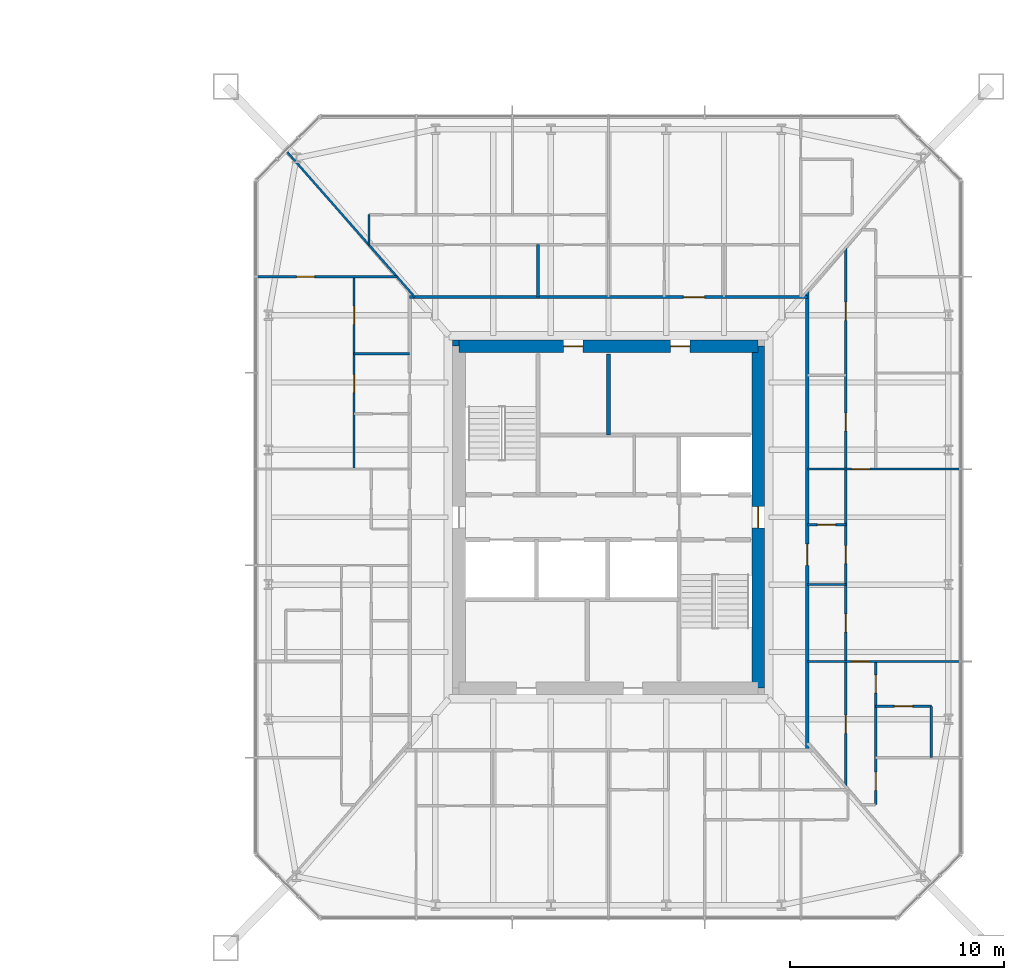
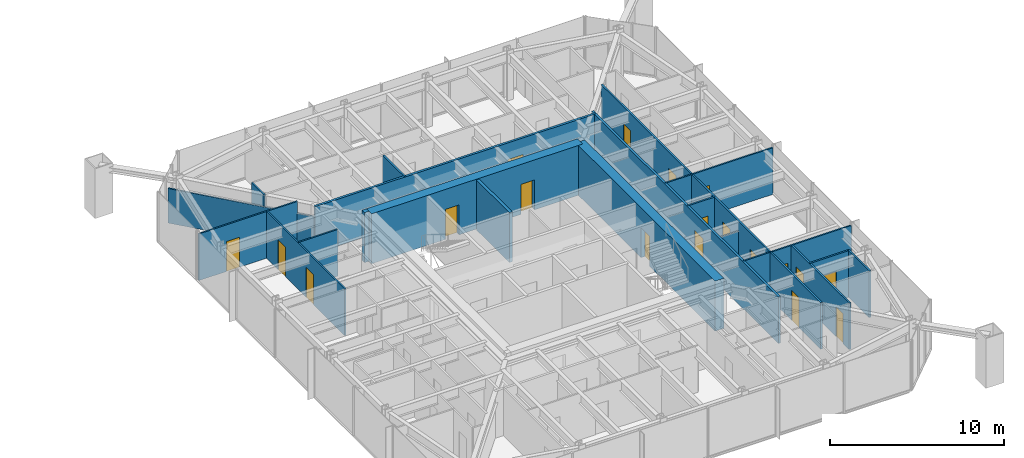
# One storey, part 20 of 26: 20 walls, 19 doors, 19 openings.
"""IFC4 building model written with IfcOpenShell, lengths in metres."""

from ifc_helpers import new_model, si_unit, direction, frame, frame_2d, origin, place, context, subcontext, project, spatial, rectangle, extrude, material, layer, layer_set, type_object, element, fill, save


model = new_model("IFC4")

# Units and contexts
model_context = context("Model", 3, precision=1e-05, world=origin(), true_north=direction((0.0, 1.0)))
body_context = subcontext(model_context, "Body", "Model", "MODEL_VIEW")
ifc_project = project(units=[si_unit("LENGTHUNIT", "METRE"), si_unit("AREAUNIT", "SQUARE_METRE"), si_unit("VOLUMEUNIT", "CUBIC_METRE"), si_unit("PLANEANGLEUNIT", "RADIAN"), si_unit("MASSUNIT", "GRAM", prefix="KILO")], contexts=[model_context])

# Site, building, storey
site_placement = place(None, origin())
site = spatial("IfcSite", under=ifc_project, at=site_placement, CompositionType="ELEMENT")
building_placement = place(site_placement, origin())
building = spatial("IfcBuilding", under=site, at=building_placement, Name="Iwan Alto Co-Living Towers", CompositionType="ELEMENT")
storey_placement = place(building_placement, frame((0.0, 0.0, 60.5)))
storey = spatial("IfcBuildingStorey", under=building, at=storey_placement, Name="L16", CompositionType="ELEMENT", Elevation=60.5)

# Wall, opening, door
ifc_material_1 = material(Name="Gypsum board")
ifc_layer_1 = layer(ifc_material_1, 0.02490234375, Name="Board", Category="Finish")
ifc_material_2 = material(Name="Steel ASTM A1003 ST33H cold-formed studs", Category="steel")
ifc_layer_2 = layer(ifc_material_2, 0.10009765625, Name="Studs", Category="Framing")
ifc_layer_3 = layer(ifc_material_1, 0.02490234375, Name="Board", Category="Finish")
ifc_layer_set_1 = layer_set([ifc_layer_1, ifc_layer_2, ifc_layer_3], Name="CORRIDOR WALL 150")
wall_type_1 = type_object("IfcWallType", Name="CORRIDOR WALL 150", PredefinedType="PARTITIONING", material=ifc_layer_set_1)
wall_1_placement = place(storey_placement, frame((53.699951171875, 10.300048828125, 0.0), z_axis=(0.0, 0.0, 1.0), x_axis=(1.0, 0.0, 0.0)))
wall_1 = element("IfcWall", 1, at=wall_1_placement, inside=storey, type_object=wall_type_1, Name="Partition L16", PredefinedType="PARTITIONING", context=body_context, shape_type="SweptSolid", body=[
    extrude(rectangle(XDim=18.60009765625, YDim=0.14990234375, at=frame_2d((9.300048828125, 0.0))), origin(), (0.0, 0.0, 1.0), 3.27001953125),
])
opening_1_placement = place(wall_1_placement, frame((12.800048828125, 0.0, 0.0)))
opening_1 = element("IfcOpeningElement", 2, at=opening_1_placement, cuts=wall_1, Name="Opening D3", PredefinedType="OPENING", context=body_context, shape_type="SweptSolid", body=[
    extrude(rectangle(XDim=1.0, YDim=2.10009765625, at=frame_2d((0.5, 1.050048828125))), frame((0.0, 0.0849609375, 0.0), z_axis=(0.0, -1.0, 0.0), x_axis=(1.0, 0.0, 0.0)), (0.0, 0.0, 1.0), 0.169921875),
])
ifc_material_3 = material(Name="Steel frame with timber leaf", Category="steel")
door_type_1 = type_object("IfcDoorType", Name="FLAT ENTRANCE DOOR FD30S 1000X2100", OperationType="SINGLE_SWING_LEFT", PredefinedType="DOOR", material=ifc_material_3)
door_1_placement = place(opening_1_placement, origin())
door_1 = element("IfcDoor", 3, at=door_1_placement, inside=storey, type_object=door_type_1, Name="Apartment foyer door L16", OperationType="SINGLE_SWING_LEFT", OverallHeight=2.10009765625, OverallWidth=1.0, PredefinedType="DOOR", context=body_context, shape_type="SweptSolid", body=[
    extrude(rectangle(XDim=1.0, YDim=2.10009765625, at=frame_2d((0.5, 1.050048828125))), frame((0.0, 0.02490234375, 0.0), z_axis=(0.0, -1.0, 0.0), x_axis=(1.0, 0.0, 0.0)), (0.0, 0.0, 1.0), 0.050048828125),
])
fill(opening_1, door_1)

wall_2_placement = place(storey_placement, frame((72.300048828125, -10.89990234375, 0.0), z_axis=(0.0, 0.0, 1.0), x_axis=(0.0, 1.0, 0.0)))
wall_2 = element("IfcWall", 4, at=wall_2_placement, inside=storey, type_object=wall_type_1, Name="Partition L16", PredefinedType="PARTITIONING", context=body_context, shape_type="SweptSolid", body=[
    extrude(rectangle(XDim=21.468017578125, YDim=0.14990234375, at=frame_2d((10.73388671875, 0.0))), origin(), (0.0, 0.0, 1.0), 3.27001953125),
])
opening_2_placement = place(wall_2_placement, frame((8.64990234375, 0.0, 0.0)))
opening_2 = element("IfcOpeningElement", 5, at=opening_2_placement, cuts=wall_2, Name="Opening D3", PredefinedType="OPENING", context=body_context, shape_type="SweptSolid", body=[
    extrude(rectangle(XDim=1.0, YDim=2.10009765625, at=frame_2d((0.5, 1.050048828125))), frame((0.0, 0.0849609375, 0.0), z_axis=(0.0, -1.0, 0.0), x_axis=(1.0, 0.0, 0.0)), (0.0, 0.0, 1.0), 0.169921875),
])
door_2_placement = place(opening_2_placement, frame((1.0, 0.0, 0.0), z_axis=(0.0, 0.0, 1.0), x_axis=(-1.0, 0.0, 0.0)))
door_2 = element("IfcDoor", 6, at=door_2_placement, inside=storey, type_object=door_type_1, Name="Apartment foyer door L16", OperationType="SINGLE_SWING_RIGHT", OverallHeight=2.10009765625, OverallWidth=1.0, PredefinedType="DOOR", context=body_context, shape_type="SweptSolid", body=[
    extrude(rectangle(XDim=1.0, YDim=2.10009765625, at=frame_2d((0.5, 1.050048828125))), frame((0.0, 0.02490234375, 0.0), z_axis=(0.0, -1.0, 0.0), x_axis=(1.0, 0.0, 0.0)), (0.0, 0.0, 1.0), 0.050048828125),
])
fill(opening_2, door_2)

ifc_layer_4 = layer(ifc_material_1, 0.012451171875, Name="Board", Category="Finish")
ifc_layer_5 = layer(ifc_material_2, 0.074951171875, Name="Studs", Category="Framing")
ifc_layer_6 = layer(ifc_material_1, 0.012451171875, Name="Board", Category="Finish")
ifc_layer_set_2 = layer_set([ifc_layer_4, ifc_layer_5, ifc_layer_6], Name="PARTITION 100")
wall_type_2 = type_object("IfcWallType", Name="PARTITION 100", PredefinedType="PARTITIONING", material=ifc_layer_set_2)
wall_3_placement = place(storey_placement, frame((72.300048828125, -6.75, 0.0), z_axis=(0.0, 0.0, 1.0), x_axis=(1.0, 0.0, 0.0)))
wall_3 = element("IfcWall", 7, at=wall_3_placement, inside=storey, type_object=wall_type_2, Name="Partition L16", PredefinedType="PARTITIONING", context=body_context, shape_type="SweptSolid", body=[
    extrude(rectangle(XDim=7.139892578125, YDim=0.10009765625, at=frame_2d((3.56982421875, 0.0))), origin(), (0.0, 0.0, 1.0), 3.27001953125),
])
opening_3_placement = place(wall_3_placement, frame((2.074951171875, 0.0, 0.0)))
opening_3 = element("IfcOpeningElement", 8, at=opening_3_placement, cuts=wall_3, Name="Opening D2", PredefinedType="OPENING", context=body_context, shape_type="SweptSolid", body=[
    extrude(rectangle(XDim=0.85009765625, YDim=2.10009765625, at=frame_2d((0.425048828125, 1.050048828125))), frame((0.0, 0.06005859375, 0.0), z_axis=(0.0, -1.0, 0.0), x_axis=(1.0, 0.0, 0.0)), (0.0, 0.0, 1.0), 0.1201171875),
])
ifc_material_4 = material(Name="Timber leaf in steel frame", Category="steel")
door_type_2 = type_object("IfcDoorType", Name="ROOM DOOR 850X2100", OperationType="SINGLE_SWING_LEFT", PredefinedType="DOOR", material=ifc_material_4)
door_3_placement = place(opening_3_placement, origin())
door_3 = element("IfcDoor", 9, at=door_3_placement, inside=storey, type_object=door_type_2, Name="Apartment hall door L16", OperationType="SINGLE_SWING_LEFT", OverallHeight=2.10009765625, OverallWidth=0.85009765625, PredefinedType="DOOR", context=body_context, shape_type="SweptSolid", body=[
    extrude(rectangle(XDim=0.85009765625, YDim=2.10009765625, at=frame_2d((0.425048828125, 1.050048828125))), frame((0.0, 0.02490234375, 0.0), z_axis=(0.0, -1.0, 0.0), x_axis=(1.0, 0.0, 0.0)), (0.0, 0.0, 1.0), 0.050048828125),
])
fill(opening_3, door_3)

# Wall
wall_4_placement = place(storey_placement, frame((72.300048828125, -3.14990234375, 0.0), z_axis=(0.0, 0.0, 1.0), x_axis=(1.0, 0.0, 0.0)))
element("IfcWall", 10, at=wall_4_placement, inside=storey, type_object=wall_type_2, Name="Partition L16", PredefinedType="PARTITIONING", context=body_context, shape_type="SweptSolid", body=[
    extrude(rectangle(XDim=1.800048828125, YDim=0.10009765625, at=frame_2d((0.89990234375, 0.0))), origin(), (0.0, 0.0, 1.0), 2.586669921875),
])

# Wall, opening, door
wall_5_placement = place(storey_placement, frame((72.300048828125, 2.25, 0.0), z_axis=(0.0, 0.0, 1.0), x_axis=(1.0, 0.0, 0.0)))
wall_5 = element("IfcWall", 11, at=wall_5_placement, inside=storey, type_object=wall_type_2, Name="Partition L16", PredefinedType="PARTITIONING", context=body_context, shape_type="SweptSolid", body=[
    extrude(rectangle(XDim=7.139892578125, YDim=0.10009765625, at=frame_2d((3.56982421875, 0.0))), origin(), (0.0, 0.0, 1.0), 3.27001953125),
])
opening_4_placement = place(wall_5_placement, frame((2.074951171875, 0.0, 0.0)))
opening_4 = element("IfcOpeningElement", 12, at=opening_4_placement, cuts=wall_5, Name="Opening D2", PredefinedType="OPENING", context=body_context, shape_type="SweptSolid", body=[
    extrude(rectangle(XDim=0.85009765625, YDim=2.10009765625, at=frame_2d((0.425048828125, 1.050048828125))), frame((0.0, 0.06005859375, 0.0), z_axis=(0.0, -1.0, 0.0), x_axis=(1.0, 0.0, 0.0)), (0.0, 0.0, 1.0), 0.1201171875),
])
door_4_placement = place(opening_4_placement, frame((0.85009765625, 0.0, 0.0), z_axis=(0.0, 0.0, 1.0), x_axis=(-1.0, 0.0, 0.0)))
door_4 = element("IfcDoor", 13, at=door_4_placement, inside=storey, type_object=door_type_2, Name="Apartment hall door L16", OperationType="SINGLE_SWING_RIGHT", OverallHeight=2.10009765625, OverallWidth=0.85009765625, PredefinedType="DOOR", context=body_context, shape_type="SweptSolid", body=[
    extrude(rectangle(XDim=0.85009765625, YDim=2.10009765625, at=frame_2d((0.425048828125, 1.050048828125))), frame((0.0, 0.02490234375, 0.0), z_axis=(0.0, -1.0, 0.0), x_axis=(1.0, 0.0, 0.0)), (0.0, 0.0, 1.0), 0.050048828125),
])
fill(opening_4, door_4)

# Wall
wall_6_placement = place(storey_placement, frame((51.10009765625, 7.64990234375, 0.0), z_axis=(0.0, 0.0, 1.0), x_axis=(1.0, 0.0, 0.0)))
element("IfcWall", 14, at=wall_6_placement, inside=storey, type_object=wall_type_2, Name="Partition L16", PredefinedType="PARTITIONING", context=body_context, shape_type="SweptSolid", body=[
    extrude(rectangle(XDim=2.599853515625, YDim=0.10009765625, at=frame_2d((1.2998046875, 0.0))), origin(), (0.0, 0.0, 1.0), 3.27001953125),
])

# Wall, opening, door
wall_7_placement = place(storey_placement, frame((46.56005859375, 11.25, 0.0), z_axis=(0.0, 0.0, 1.0), x_axis=(1.0, 0.0, 0.0)))
wall_7 = element("IfcWall", 15, at=wall_7_placement, inside=storey, type_object=wall_type_2, Name="Partition L16", PredefinedType="PARTITIONING", context=body_context, shape_type="SweptSolid", body=[
    extrude(rectangle(XDim=6.5400390625, YDim=0.10009765625, at=frame_2d((3.27001953125, 0.0))), origin(), (0.0, 0.0, 1.0), 3.27001953125),
])
opening_5_placement = place(wall_7_placement, frame((1.844970703125, 0.0, 0.0)))
opening_5 = element("IfcOpeningElement", 16, at=opening_5_placement, cuts=wall_7, Name="Opening D2", PredefinedType="OPENING", context=body_context, shape_type="SweptSolid", body=[
    extrude(rectangle(XDim=0.85009765625, YDim=2.10009765625, at=frame_2d((0.425048828125, 1.050048828125))), frame((0.0, 0.06005859375, 0.0), z_axis=(0.0, -1.0, 0.0), x_axis=(1.0, 0.0, 0.0)), (0.0, 0.0, 1.0), 0.1201171875),
])
door_5_placement = place(opening_5_placement, frame((0.85009765625, 0.0, 0.0), z_axis=(0.0, 0.0, 1.0), x_axis=(-1.0, 0.0, 0.0)))
door_5 = element("IfcDoor", 17, at=door_5_placement, inside=storey, type_object=door_type_2, Name="Bedroom door L16", OperationType="SINGLE_SWING_LEFT", OverallHeight=2.10009765625, OverallWidth=0.85009765625, PredefinedType="DOOR", context=body_context, shape_type="SweptSolid", body=[
    extrude(rectangle(XDim=0.85009765625, YDim=2.10009765625, at=frame_2d((0.425048828125, 1.050048828125))), frame((0.0, 0.02490234375, 0.0), z_axis=(0.0, -1.0, 0.0), x_axis=(1.0, 0.0, 0.0)), (0.0, 0.0, 1.0), 0.050048828125),
])
fill(opening_5, door_5)

# Wall
wall_8_placement = place(storey_placement, frame((51.800048828125, 12.72705078125, 0.0), z_axis=(0.0, 0.0, 1.0), x_axis=(0.0, 1.0, 0.0)))
element("IfcWall", 18, at=wall_8_placement, inside=storey, type_object=wall_type_2, Name="Partition L16", PredefinedType="PARTITIONING", context=body_context, shape_type="SweptSolid", body=[
    extrude(rectangle(XDim=1.4228515625, YDim=0.10009765625, at=frame_2d((0.71142578125, 0.0))), origin(), (0.0, 0.0, 1.0), 3.27001953125),
])

# Wall, openings, doors
wall_9_placement = place(storey_placement, frame((51.10009765625, 2.25, 0.0), z_axis=(0.0, 0.0, 1.0), x_axis=(0.0, 1.0, 0.0)))
wall_9 = element("IfcWall", 19, at=wall_9_placement, inside=storey, type_object=wall_type_2, Name="Partition L16", PredefinedType="PARTITIONING", context=body_context, shape_type="SweptSolid", body=[
    extrude(rectangle(XDim=9.0, YDim=0.10009765625, at=frame_2d((4.5, 0.0))), origin(), (0.0, 0.0, 1.0), 3.27001953125),
])
opening_6_placement = place(wall_9_placement, frame((6.77490234375, 0.0, 0.0)))
opening_6 = element("IfcOpeningElement", 20, at=opening_6_placement, cuts=wall_9, Name="Opening D2", PredefinedType="OPENING", context=body_context, shape_type="SweptSolid", body=[
    extrude(rectangle(XDim=0.85009765625, YDim=2.10009765625, at=frame_2d((0.425048828125, 1.050048828125))), frame((0.0, 0.06005859375, 0.0), z_axis=(0.0, -1.0, 0.0), x_axis=(1.0, 0.0, 0.0)), (0.0, 0.0, 1.0), 0.1201171875),
])
opening_7_placement = place(wall_9_placement, frame((3.574951171875, 0.0, 0.0)))
opening_7 = element("IfcOpeningElement", 21, at=opening_7_placement, cuts=wall_9, Name="Opening D2", PredefinedType="OPENING", context=body_context, shape_type="SweptSolid", body=[
    extrude(rectangle(XDim=0.85009765625, YDim=2.10009765625, at=frame_2d((0.425048828125, 1.050048828125))), frame((0.0, 0.06005859375, 0.0), z_axis=(0.0, -1.0, 0.0), x_axis=(1.0, 0.0, 0.0)), (0.0, 0.0, 1.0), 0.1201171875),
])
door_6_placement = place(opening_6_placement, origin())
door_6 = element("IfcDoor", 22, at=door_6_placement, inside=storey, type_object=door_type_2, Name="Kitchen door L16", OperationType="SINGLE_SWING_RIGHT", OverallHeight=2.10009765625, OverallWidth=0.85009765625, PredefinedType="DOOR", context=body_context, shape_type="SweptSolid", body=[
    extrude(rectangle(XDim=0.85009765625, YDim=2.10009765625, at=frame_2d((0.425048828125, 1.050048828125))), frame((0.0, 0.02490234375, 0.0), z_axis=(0.0, -1.0, 0.0), x_axis=(1.0, 0.0, 0.0)), (0.0, 0.0, 1.0), 0.050048828125),
])
fill(opening_6, door_6)
door_7_placement = place(opening_7_placement, origin())
door_7 = element("IfcDoor", 23, at=door_7_placement, inside=storey, type_object=door_type_2, Name="Apartment foyer door L16", OperationType="SINGLE_SWING_LEFT", OverallHeight=2.10009765625, OverallWidth=0.85009765625, PredefinedType="DOOR", context=body_context, shape_type="SweptSolid", body=[
    extrude(rectangle(XDim=0.85009765625, YDim=2.10009765625, at=frame_2d((0.425048828125, 1.050048828125))), frame((0.0, 0.02490234375, 0.0), z_axis=(0.0, -1.0, 0.0), x_axis=(1.0, 0.0, 0.0)), (0.0, 0.0, 1.0), 0.050048828125),
])
fill(opening_7, door_7)

# Walls
wall_10_placement = place(storey_placement, frame((53.93603515625, 10.300048828125, 0.0), z_axis=(0.0, 0.0, 1.0), x_axis=(-0.660638210404, 0.750704439146, 0.0)))
element("IfcWall", 24, at=wall_10_placement, inside=storey, type_object=wall_type_2, Name="Partition L16", PredefinedType="PARTITIONING", context=body_context, shape_type="SweptSolid", body=[
    extrude(rectangle(XDim=9.06982421875, YDim=0.10009765625, at=frame_2d((4.534912109375, 0.0))), origin(), (0.0, 0.0, 1.0), 2.42919921875),
])
ifc_material_5 = material(Name="Concrete f'c 70 MPa", Category="concrete")
ifc_layer_7 = layer(ifc_material_5, 0.199951171875)
ifc_layer_set_3 = layer_set([ifc_layer_7], Name="SHAFT WALL 200")
wall_type_3 = type_object("IfcWallType", Name="SHAFT WALL 200", PredefinedType="SOLIDWALL", material=ifc_layer_set_3)
wall_11_placement = place(storey_placement, frame((63.0, 3.85009765625, 0.0), z_axis=(0.0, 0.0, 1.0), x_axis=(0.0, 1.0, 0.0)))
element("IfcWall", 25, at=wall_11_placement, inside=storey, type_object=wall_type_3, Name="Shaft wall L16", PredefinedType="SOLIDWALL", context=body_context, shape_type="SweptSolid", body=[
    extrude(rectangle(XDim=3.789794921875, YDim=0.199951171875, at=frame_2d((1.89501953125, 0.0))), origin(), (0.0, 0.0, 1.0), 3.5),
])
ifc_material_6 = material(Name="Concrete f'c 70 MPa", Category="concrete")
ifc_layer_8 = layer(ifc_material_6, 0.300048828125)
ifc_layer_set_4 = layer_set([ifc_layer_8], Name="T2 CORE CORNER FILL 300")
wall_type_4 = type_object("IfcWallType", Name="T2 CORE CORNER FILL 300", PredefinedType="SOLIDWALL", material=ifc_layer_set_4)
wall_12_placement = place(storey_placement, frame((55.699951171875, 8.14990234375, 0.0), z_axis=(0.0, 0.0, 1.0), x_axis=(1.0, 0.0, 0.0)))
element("IfcWall", 26, at=wall_12_placement, inside=storey, type_object=wall_type_4, Name="T2 core corner NW L16", PredefinedType="SOLIDWALL", context=body_context, shape_type="SweptSolid", body=[
    extrude(rectangle(XDim=0.300048828125, YDim=0.300048828125, at=frame_2d((0.14990234375, 0.0))), origin(), (0.0, 0.0, 1.0), 3.5),
])

# Wall, openings, doors
ifc_material_7 = material(Name="Concrete f'c 70 MPa", Category="concrete")
ifc_layer_9 = layer(ifc_material_7, 0.60009765625)
ifc_layer_set_5 = layer_set([ifc_layer_9], Name="T2 CORE WALL 600")
wall_type_5 = type_object("IfcWallType", Name="T2 CORE WALL 600", PredefinedType="SHEAR", material=ifc_layer_set_5)
wall_13_placement = place(storey_placement, frame((70.0, 8.0, 0.0), z_axis=(0.0, 0.0, 1.0), x_axis=(-1.0, 0.0, 0.0)))
wall_13 = element("IfcWall", 27, at=wall_13_placement, inside=storey, type_object=wall_type_5, Name="T2 core wall N L16", PredefinedType="SHEAR", context=body_context, shape_type="SweptSolid", body=[
    extrude(rectangle(XDim=14.0, YDim=0.60009765625, at=frame_2d((7.0, 0.0))), origin(), (0.0, 0.0, 1.0), 3.5),
])
opening_8_placement = place(wall_13_placement, frame((8.199951171875, 0.0, 0.0)))
opening_8 = element("IfcOpeningElement", 28, at=opening_8_placement, cuts=wall_13, Name="Opening D8", PredefinedType="OPENING", context=body_context, shape_type="SweptSolid", body=[
    extrude(rectangle(XDim=0.89990234375, YDim=2.10009765625, at=frame_2d((0.449951171875, 1.050048828125))), frame((0.0, 0.31005859375, 0.0), z_axis=(0.0, -1.0, 0.0), x_axis=(1.0, 0.0, 0.0)), (0.0, 0.0, 1.0), 0.6201171875),
])
opening_9_placement = place(wall_13_placement, frame((3.199951171875, 0.0, 0.0)))
opening_9 = element("IfcOpeningElement", 29, at=opening_9_placement, cuts=wall_13, Name="Opening D8", PredefinedType="OPENING", context=body_context, shape_type="SweptSolid", body=[
    extrude(rectangle(XDim=0.89990234375, YDim=2.10009765625, at=frame_2d((0.449951171875, 1.050048828125))), frame((0.0, 0.31005859375, 0.0), z_axis=(0.0, -1.0, 0.0), x_axis=(1.0, 0.0, 0.0)), (0.0, 0.0, 1.0), 0.6201171875),
])
ifc_material_8 = material(Name="Steel frame with timber leaf", Category="steel")
door_type_3 = type_object("IfcDoorType", Name="RISER DOOR FD120 900X2100", OperationType="SINGLE_SWING_LEFT", PredefinedType="DOOR", material=ifc_material_8)
door_8_placement = place(opening_8_placement, origin())
door_8 = element("IfcDoor", 30, at=door_8_placement, inside=storey, type_object=door_type_3, Name="Electrical riser core door L16", OperationType="SINGLE_SWING_RIGHT", OverallHeight=2.10009765625, OverallWidth=0.89990234375, PredefinedType="DOOR", context=body_context, shape_type="SweptSolid", body=[
    extrude(rectangle(XDim=0.89990234375, YDim=2.10009765625, at=frame_2d((0.449951171875, 1.050048828125))), frame((0.0, 0.02490234375, 0.0), z_axis=(0.0, -1.0, 0.0), x_axis=(1.0, 0.0, 0.0)), (0.0, 0.0, 1.0), 0.050048828125),
])
fill(opening_8, door_8)
door_9_placement = place(opening_9_placement, origin())
door_9 = element("IfcDoor", 31, at=door_9_placement, inside=storey, type_object=door_type_3, Name="Water and drainage riser core door L16", OperationType="SINGLE_SWING_RIGHT", OverallHeight=2.10009765625, OverallWidth=0.89990234375, PredefinedType="DOOR", context=body_context, shape_type="SweptSolid", body=[
    extrude(rectangle(XDim=0.89990234375, YDim=2.10009765625, at=frame_2d((0.449951171875, 1.050048828125))), frame((0.0, 0.02490234375, 0.0), z_axis=(0.0, -1.0, 0.0), x_axis=(1.0, 0.0, 0.0)), (0.0, 0.0, 1.0), 0.050048828125),
])
fill(opening_9, door_9)

# Wall, opening, door
wall_14_placement = place(storey_placement, frame((70.0, -8.0, 0.0), z_axis=(0.0, 0.0, 1.0), x_axis=(0.0, 1.0, 0.0)))
wall_14 = element("IfcWall", 32, at=wall_14_placement, inside=storey, type_object=wall_type_5, Name="T2 core wall E L16", PredefinedType="SHEAR", context=body_context, shape_type="SweptSolid", body=[
    extrude(rectangle(XDim=16.0, YDim=0.60009765625, at=frame_2d((8.0, 0.0))), origin(), (0.0, 0.0, 1.0), 3.5),
])
opening_10_placement = place(wall_14_placement, frame((7.5, 0.0, 0.0)))
opening_10 = element("IfcOpeningElement", 33, at=opening_10_placement, cuts=wall_14, Name="Opening D7", PredefinedType="OPENING", context=body_context, shape_type="SweptSolid", body=[
    extrude(rectangle(XDim=1.0, YDim=2.10009765625, at=frame_2d((0.5, 1.050048828125))), frame((0.0, 0.31005859375, 0.0), z_axis=(0.0, -1.0, 0.0), x_axis=(1.0, 0.0, 0.0)), (0.0, 0.0, 1.0), 0.6201171875),
])
ifc_material_9 = material(Name="Steel frame with timber leaf", Category="steel")
door_type_4 = type_object("IfcDoorType", Name="CORE DOOR FD120S 1000X2100", OperationType="SINGLE_SWING_LEFT", PredefinedType="DOOR", material=ifc_material_9)
door_10_placement = place(opening_10_placement, origin())
door_10 = element("IfcDoor", 34, at=door_10_placement, inside=storey, type_object=door_type_4, Name="Firefighting lobby core door L16", OperationType="SINGLE_SWING_LEFT", OverallHeight=2.10009765625, OverallWidth=1.0, PredefinedType="DOOR", context=body_context, shape_type="SweptSolid", body=[
    extrude(rectangle(XDim=1.0, YDim=2.10009765625, at=frame_2d((0.5, 1.050048828125))), frame((0.0, 0.02490234375, 0.0), z_axis=(0.0, -1.0, 0.0), x_axis=(1.0, 0.0, 0.0)), (0.0, 0.0, 1.0), 0.050048828125),
])
fill(opening_10, door_10)

ifc_material_10 = material(Name="Cement board")
ifc_layer_10 = layer(ifc_material_10, 0.012451171875, Name="Board", Category="Finish")
ifc_layer_11 = layer(ifc_material_2, 0.094970703125, Name="Studs", Category="Framing")
ifc_layer_12 = layer(ifc_material_10, 0.012451171875, Name="Board", Category="Finish")
ifc_layer_set_6 = layer_set([ifc_layer_10, ifc_layer_11, ifc_layer_12], Name="WET AREA PARTITION 120")
wall_type_6 = type_object("IfcWallType", Name="WET AREA PARTITION 120", PredefinedType="PARTITIONING", material=ifc_layer_set_6)
wall_15_placement = place(storey_placement, frame((75.5, -8.85009765625, 0.0), z_axis=(0.0, 0.0, 1.0), x_axis=(1.0, 0.0, 0.0)))
wall_15 = element("IfcWall", 35, at=wall_15_placement, inside=storey, type_object=wall_type_6, Name="Partition L16", PredefinedType="PARTITIONING", context=body_context, shape_type="SweptSolid", body=[
    extrude(rectangle(XDim=2.60009765625, YDim=0.1201171875, at=frame_2d((1.300048828125, 0.0))), origin(), (0.0, 0.0, 1.0), 3.27001953125),
])
opening_11_placement = place(wall_15_placement, frame((0.875, 0.0, 0.0)))
opening_11 = element("IfcOpeningElement", 36, at=opening_11_placement, cuts=wall_15, Name="Opening D2", PredefinedType="OPENING", context=body_context, shape_type="SweptSolid", body=[
    extrude(rectangle(XDim=0.85009765625, YDim=2.10009765625, at=frame_2d((0.425048828125, 1.050048828125))), frame((0.0, 0.070068359375, 0.0), z_axis=(0.0, -1.0, 0.0), x_axis=(1.0, 0.0, 0.0)), (0.0, 0.0, 1.0), 0.14013671875),
])
door_11_placement = place(opening_11_placement, origin())
door_11 = element("IfcDoor", 37, at=door_11_placement, inside=storey, type_object=door_type_2, Name="En-suite shower room door L16", OperationType="SINGLE_SWING_LEFT", OverallHeight=2.10009765625, OverallWidth=0.85009765625, PredefinedType="DOOR", context=body_context, shape_type="SweptSolid", body=[
    extrude(rectangle(XDim=0.85009765625, YDim=2.10009765625, at=frame_2d((0.425048828125, 1.050048828125))), frame((0.0, 0.02490234375, 0.0), z_axis=(0.0, -1.0, 0.0), x_axis=(1.0, 0.0, 0.0)), (0.0, 0.0, 1.0), 0.050048828125),
])
fill(opening_11, door_11)

wall_16_placement = place(storey_placement, frame((72.300048828125, -0.35009765625, 0.0), z_axis=(0.0, 0.0, 1.0), x_axis=(1.0, 0.0, 0.0)))
wall_16 = element("IfcWall", 38, at=wall_16_placement, inside=storey, type_object=wall_type_6, Name="Partition L16", PredefinedType="PARTITIONING", context=body_context, shape_type="SweptSolid", body=[
    extrude(rectangle(XDim=1.800048828125, YDim=0.1201171875, at=frame_2d((0.89990234375, 0.0))), origin(), (0.0, 0.0, 1.0), 3.27001953125),
])
opening_12_placement = place(wall_16_placement, frame((0.47509765625, 0.0, 0.0)))
opening_12 = element("IfcOpeningElement", 39, at=opening_12_placement, cuts=wall_16, Name="Opening D2", PredefinedType="OPENING", context=body_context, shape_type="SweptSolid", body=[
    extrude(rectangle(XDim=0.85009765625, YDim=2.10009765625, at=frame_2d((0.425048828125, 1.050048828125))), frame((0.0, 0.070068359375, 0.0), z_axis=(0.0, -1.0, 0.0), x_axis=(1.0, 0.0, 0.0)), (0.0, 0.0, 1.0), 0.14013671875),
])
door_12_placement = place(opening_12_placement, origin())
door_12 = element("IfcDoor", 40, at=door_12_placement, inside=storey, type_object=door_type_2, Name="Bathroom door L16", OperationType="SINGLE_SWING_LEFT", OverallHeight=2.10009765625, OverallWidth=0.85009765625, PredefinedType="DOOR", context=body_context, shape_type="SweptSolid", body=[
    extrude(rectangle(XDim=0.85009765625, YDim=2.10009765625, at=frame_2d((0.425048828125, 1.050048828125))), frame((0.0, 0.02490234375, 0.0), z_axis=(0.0, -1.0, 0.0), x_axis=(1.0, 0.0, 0.0)), (0.0, 0.0, 1.0), 0.050048828125),
])
fill(opening_12, door_12)

# Wall
wall_17_placement = place(storey_placement, frame((78.10009765625, -11.25, 0.0), z_axis=(0.0, 0.0, 1.0), x_axis=(0.0, 1.0, 0.0)))
element("IfcWall", 41, at=wall_17_placement, inside=storey, type_object=wall_type_6, Name="Partition L16", PredefinedType="PARTITIONING", context=body_context, shape_type="SweptSolid", body=[
    extrude(rectangle(XDim=2.39990234375, YDim=0.1201171875, at=frame_2d((1.199951171875, 0.0))), origin(), (0.0, 0.0, 1.0), 3.27001953125),
])

# Wall, openings, doors
wall_18_placement = place(storey_placement, frame((75.5, -13.449951171875, 0.0), z_axis=(0.0, 0.0, 1.0), x_axis=(0.0, 1.0, 0.0)))
wall_18 = element("IfcWall", 42, at=wall_18_placement, inside=storey, type_object=wall_type_6, Name="Partition L16", PredefinedType="PARTITIONING", context=body_context, shape_type="SweptSolid", body=[
    extrude(rectangle(XDim=6.699951171875, YDim=0.1201171875, at=frame_2d((3.35009765625, 0.0))), origin(), (0.0, 0.0, 1.0), 3.27001953125),
])
opening_13_placement = place(wall_18_placement, frame((5.22509765625, 0.0, 0.0)))
opening_13 = element("IfcOpeningElement", 43, at=opening_13_placement, cuts=wall_18, Name="Opening D2", PredefinedType="OPENING", context=body_context, shape_type="SweptSolid", body=[
    extrude(rectangle(XDim=0.85009765625, YDim=2.10009765625, at=frame_2d((0.425048828125, 1.050048828125))), frame((0.0, 0.070068359375, 0.0), z_axis=(0.0, -1.0, 0.0), x_axis=(1.0, 0.0, 0.0)), (0.0, 0.0, 1.0), 0.14013671875),
])
opening_14_placement = place(wall_18_placement, frame((0.675048828125, 0.0, 0.0)))
opening_14 = element("IfcOpeningElement", 44, at=opening_14_placement, cuts=wall_18, Name="Opening D2", PredefinedType="OPENING", context=body_context, shape_type="SweptSolid", body=[
    extrude(rectangle(XDim=0.85009765625, YDim=2.10009765625, at=frame_2d((0.425048828125, 1.050048828125))), frame((0.0, 0.070068359375, 0.0), z_axis=(0.0, -1.0, 0.0), x_axis=(1.0, 0.0, 0.0)), (0.0, 0.0, 1.0), 0.14013671875),
])
door_13_placement = place(opening_13_placement, frame((0.85009765625, 0.0, 0.0), z_axis=(0.0, 0.0, 1.0), x_axis=(-1.0, 0.0, 0.0)))
door_13 = element("IfcDoor", 45, at=door_13_placement, inside=storey, type_object=door_type_2, Name="Bedroom door L16", OperationType="SINGLE_SWING_RIGHT", OverallHeight=2.10009765625, OverallWidth=0.85009765625, PredefinedType="DOOR", context=body_context, shape_type="SweptSolid", body=[
    extrude(rectangle(XDim=0.85009765625, YDim=2.10009765625, at=frame_2d((0.425048828125, 1.050048828125))), frame((0.0, 0.02490234375, 0.0), z_axis=(0.0, -1.0, 0.0), x_axis=(1.0, 0.0, 0.0)), (0.0, 0.0, 1.0), 0.050048828125),
])
fill(opening_13, door_13)
door_14_placement = place(opening_14_placement, frame((0.85009765625, 0.0, 0.0), z_axis=(0.0, 0.0, 1.0), x_axis=(-1.0, 0.0, 0.0)))
door_14 = element("IfcDoor", 46, at=door_14_placement, inside=storey, type_object=door_type_2, Name="Bedroom door L16", OperationType="SINGLE_SWING_LEFT", OverallHeight=2.10009765625, OverallWidth=0.85009765625, PredefinedType="DOOR", context=body_context, shape_type="SweptSolid", body=[
    extrude(rectangle(XDim=0.85009765625, YDim=2.10009765625, at=frame_2d((0.425048828125, 1.050048828125))), frame((0.0, 0.02490234375, 0.0), z_axis=(0.0, -1.0, 0.0), x_axis=(1.0, 0.0, 0.0)), (0.0, 0.0, 1.0), 0.050048828125),
])
fill(opening_14, door_14)

wall_19_placement = place(storey_placement, frame((74.10009765625, -12.614013671875, 0.0), z_axis=(0.0, 0.0, 1.0), x_axis=(0.0, 1.0, 0.0)))
wall_19 = element("IfcWall", 47, at=wall_19_placement, inside=storey, type_object=wall_type_6, Name="Partition L16", PredefinedType="PARTITIONING", context=body_context, shape_type="SweptSolid", body=[
    extrude(rectangle(XDim=25.22802734375, YDim=0.1201171875, at=frame_2d((12.614013671875, 0.0))), origin(), (0.0, 0.0, 1.0), 3.27001953125),
])
opening_15_placement = place(wall_19_placement, frame((7.239013671875, 0.0, 0.0)))
opening_15 = element("IfcOpeningElement", 48, at=opening_15_placement, cuts=wall_19, Name="Opening D2", PredefinedType="OPENING", context=body_context, shape_type="SweptSolid", body=[
    extrude(rectangle(XDim=0.85009765625, YDim=2.10009765625, at=frame_2d((0.425048828125, 1.050048828125))), frame((0.0, 0.070068359375, 0.0), z_axis=(0.0, -1.0, 0.0), x_axis=(1.0, 0.0, 0.0)), (0.0, 0.0, 1.0), 0.14013671875),
])
opening_16_placement = place(wall_19_placement, frame((10.43896484375, 0.0, 0.0)))
opening_16 = element("IfcOpeningElement", 49, at=opening_16_placement, cuts=wall_19, Name="Opening D2", PredefinedType="OPENING", context=body_context, shape_type="SweptSolid", body=[
    extrude(rectangle(XDim=0.85009765625, YDim=2.10009765625, at=frame_2d((0.425048828125, 1.050048828125))), frame((0.0, 0.070068359375, 0.0), z_axis=(0.0, -1.0, 0.0), x_axis=(1.0, 0.0, 0.0)), (0.0, 0.0, 1.0), 0.14013671875),
])
opening_17_placement = place(wall_19_placement, frame((2.507080078125, 0.0, 0.0)))
opening_17 = element("IfcOpeningElement", 50, at=opening_17_placement, cuts=wall_19, Name="Opening D2", PredefinedType="OPENING", context=body_context, shape_type="SweptSolid", body=[
    extrude(rectangle(XDim=0.85009765625, YDim=2.10009765625, at=frame_2d((0.425048828125, 1.050048828125))), frame((0.0, 0.070068359375, 0.0), z_axis=(0.0, -1.0, 0.0), x_axis=(1.0, 0.0, 0.0)), (0.0, 0.0, 1.0), 0.14013671875),
])
opening_18_placement = place(wall_19_placement, frame((16.638916015625, 0.0, 0.0)))
opening_18 = element("IfcOpeningElement", 51, at=opening_18_placement, cuts=wall_19, Name="Opening D2", PredefinedType="OPENING", context=body_context, shape_type="SweptSolid", body=[
    extrude(rectangle(XDim=0.85009765625, YDim=2.10009765625, at=frame_2d((0.425048828125, 1.050048828125))), frame((0.0, 0.070068359375, 0.0), z_axis=(0.0, -1.0, 0.0), x_axis=(1.0, 0.0, 0.0)), (0.0, 0.0, 1.0), 0.14013671875),
])
opening_19_placement = place(wall_19_placement, frame((21.821044921875, 0.0, 0.0)))
opening_19 = element("IfcOpeningElement", 52, at=opening_19_placement, cuts=wall_19, Name="Opening D2", PredefinedType="OPENING", context=body_context, shape_type="SweptSolid", body=[
    extrude(rectangle(XDim=0.85009765625, YDim=2.10009765625, at=frame_2d((0.425048828125, 1.050048828125))), frame((0.0, 0.070068359375, 0.0), z_axis=(0.0, -1.0, 0.0), x_axis=(1.0, 0.0, 0.0)), (0.0, 0.0, 1.0), 0.14013671875),
])
door_15_placement = place(opening_15_placement, frame((0.85009765625, 0.0, 0.0), z_axis=(0.0, 0.0, 1.0), x_axis=(-1.0, 0.0, 0.0)))
door_15 = element("IfcDoor", 53, at=door_15_placement, inside=storey, type_object=door_type_2, Name="Kitchen door L16", OperationType="SINGLE_SWING_RIGHT", OverallHeight=2.10009765625, OverallWidth=0.85009765625, PredefinedType="DOOR", context=body_context, shape_type="SweptSolid", body=[
    extrude(rectangle(XDim=0.85009765625, YDim=2.10009765625, at=frame_2d((0.425048828125, 1.050048828125))), frame((0.0, 0.02490234375, 0.0), z_axis=(0.0, -1.0, 0.0), x_axis=(1.0, 0.0, 0.0)), (0.0, 0.0, 1.0), 0.050048828125),
])
fill(opening_15, door_15)
door_16_placement = place(opening_16_placement, frame((0.85009765625, 0.0, 0.0), z_axis=(0.0, 0.0, 1.0), x_axis=(-1.0, 0.0, 0.0)))
door_16 = element("IfcDoor", 54, at=door_16_placement, inside=storey, type_object=door_type_2, Name="Apartment foyer door L16", OperationType="SINGLE_SWING_LEFT", OverallHeight=2.10009765625, OverallWidth=0.85009765625, PredefinedType="DOOR", context=body_context, shape_type="SweptSolid", body=[
    extrude(rectangle(XDim=0.85009765625, YDim=2.10009765625, at=frame_2d((0.425048828125, 1.050048828125))), frame((0.0, 0.02490234375, 0.0), z_axis=(0.0, -1.0, 0.0), x_axis=(1.0, 0.0, 0.0)), (0.0, 0.0, 1.0), 0.050048828125),
])
fill(opening_16, door_16)
door_17_placement = place(opening_17_placement, origin())
door_17 = element("IfcDoor", 55, at=door_17_placement, inside=storey, type_object=door_type_2, Name="Utility room door L16", OperationType="SINGLE_SWING_LEFT", OverallHeight=2.10009765625, OverallWidth=0.85009765625, PredefinedType="DOOR", context=body_context, shape_type="SweptSolid", body=[
    extrude(rectangle(XDim=0.85009765625, YDim=2.10009765625, at=frame_2d((0.425048828125, 1.050048828125))), frame((0.0, 0.02490234375, 0.0), z_axis=(0.0, -1.0, 0.0), x_axis=(1.0, 0.0, 0.0)), (0.0, 0.0, 1.0), 0.050048828125),
])
fill(opening_17, door_17)
door_18_placement = place(opening_18_placement, origin())
door_18 = element("IfcDoor", 56, at=door_18_placement, inside=storey, type_object=door_type_2, Name="Utility room door L16", OperationType="SINGLE_SWING_LEFT", OverallHeight=2.10009765625, OverallWidth=0.85009765625, PredefinedType="DOOR", context=body_context, shape_type="SweptSolid", body=[
    extrude(rectangle(XDim=0.85009765625, YDim=2.10009765625, at=frame_2d((0.425048828125, 1.050048828125))), frame((0.0, 0.02490234375, 0.0), z_axis=(0.0, -1.0, 0.0), x_axis=(1.0, 0.0, 0.0)), (0.0, 0.0, 1.0), 0.050048828125),
])
fill(opening_18, door_18)
door_19_placement = place(opening_19_placement, origin())
door_19 = element("IfcDoor", 57, at=door_19_placement, inside=storey, type_object=door_type_2, Name="Store room door L16", OperationType="SINGLE_SWING_RIGHT", OverallHeight=2.10009765625, OverallWidth=0.85009765625, PredefinedType="DOOR", context=body_context, shape_type="SweptSolid", body=[
    extrude(rectangle(XDim=0.85009765625, YDim=2.10009765625, at=frame_2d((0.425048828125, 1.050048828125))), frame((0.0, 0.02490234375, 0.0), z_axis=(0.0, -1.0, 0.0), x_axis=(1.0, 0.0, 0.0)), (0.0, 0.0, 1.0), 0.050048828125),
])
fill(opening_19, door_19)

# Wall
wall_20_placement = place(storey_placement, frame((59.699951171875, 10.300048828125, 0.0), z_axis=(0.0, 0.0, 1.0), x_axis=(0.0, 1.0, 0.0)))
element("IfcWall", 58, at=wall_20_placement, inside=storey, type_object=wall_type_6, Name="Partition L16", PredefinedType="PARTITIONING", context=body_context, shape_type="SweptSolid", body=[
    extrude(rectangle(XDim=2.449951171875, YDim=0.1201171875, at=frame_2d((1.22509765625, 0.0))), origin(), (0.0, 0.0, 1.0), 3.27001953125),
])

save(model, "model.ifc")
